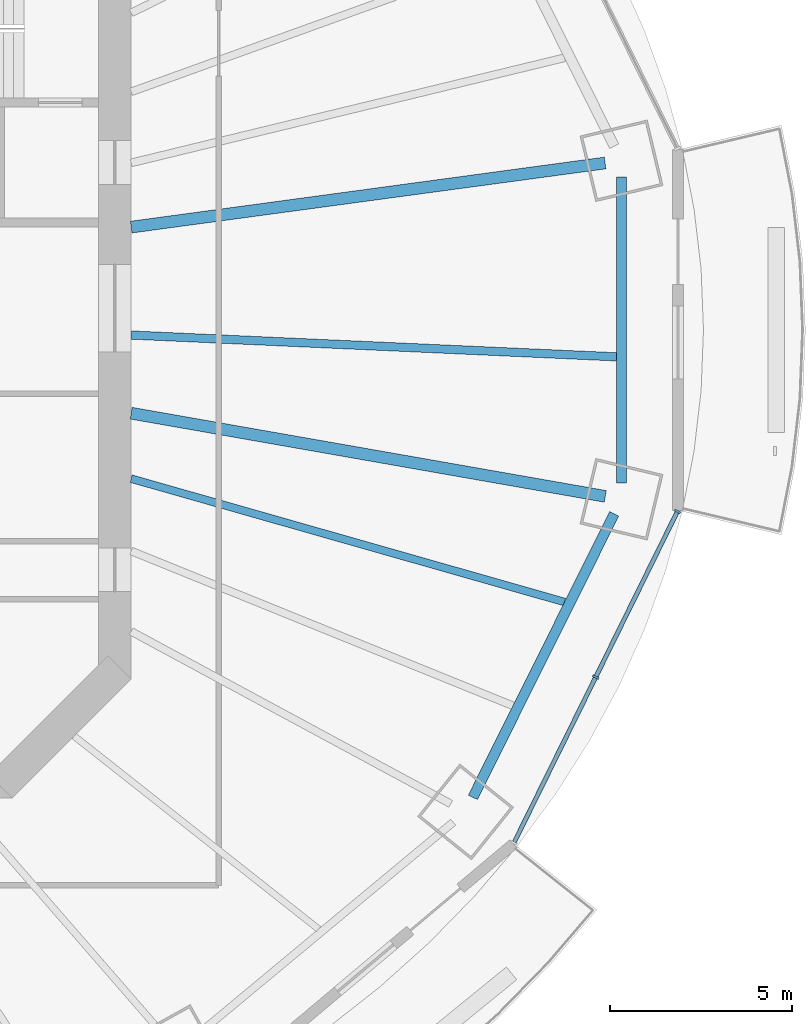
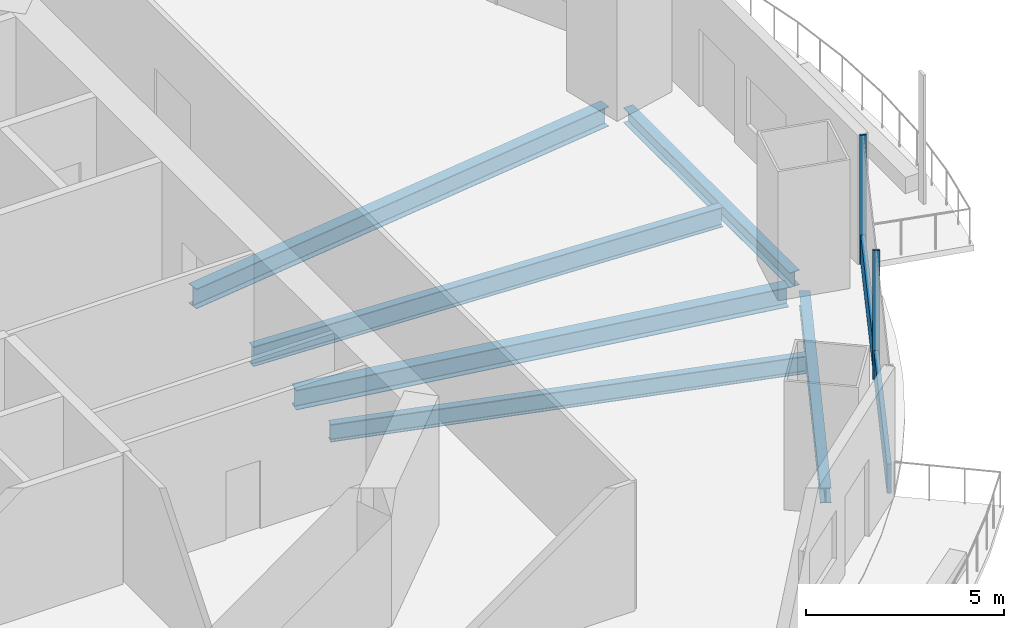
# One storey, part 5 of 19: 6 beams, 3 members, 1 element without a shape of its own.
"""IFC4 building model written with IfcOpenShell, lengths in metres."""

from ifc_helpers import new_model, si_unit, direction, frame, origin, origin_2d, place, context, subcontext, project, spatial, rectangle, i_section, extrude, material, material_profile, profile_set, type_object, element, aggregate, save


model = new_model("IFC4")

# Units and contexts
model_context = context("Model", 3, precision=1e-05, world=origin(), true_north=direction((0.0, 1.0)))
body_context = subcontext(model_context, "Body", "Model", "MODEL_VIEW")
ifc_project = project(units=[si_unit("LENGTHUNIT", "METRE"), si_unit("AREAUNIT", "SQUARE_METRE"), si_unit("VOLUMEUNIT", "CUBIC_METRE"), si_unit("PLANEANGLEUNIT", "RADIAN"), si_unit("MASSUNIT", "GRAM", prefix="KILO")], contexts=[model_context])

# Site, building, storey
site_placement = place(None, origin())
site = spatial("IfcSite", under=ifc_project, at=site_placement, CompositionType="ELEMENT")
building_placement = place(site_placement, origin())
building = spatial("IfcBuilding", under=site, at=building_placement, Name="Marenthal Gate Tower", CompositionType="ELEMENT")
storey_placement = place(building_placement, frame((0.0, 0.0, 235.75)))
storey = spatial("IfcBuildingStorey", under=building, at=storey_placement, Name="L52", CompositionType="ELEMENT", Elevation=235.75)

# Curtain wall, members
ifc_material_1 = material(Name="Aluminium and glass", Category="aluminium")
curtain_wall_type = type_object("IfcCurtainWallType", Name="Curtain wall typical mid", PredefinedType="NOTDEFINED", material=ifc_material_1)
curtain_wall_placement = place(storey_placement, origin())
curtain_wall = element("IfcCurtainWall", 1, at=curtain_wall_placement, inside=storey, type_object=curtain_wall_type, Name="Curtain wall L52 bay 15", PredefinedType="NOTDEFINED")
ifc_material_2 = material(Name="Aluminium", Category="aluminium")
ifc_material_profile_1 = material_profile(ifc_material_2, rectangle(XDim=0.179931640625, YDim=0.06005859375, at=origin_2d()), Name="60x180 aluminium mullion")
ifc_profile_set_1 = profile_set([ifc_material_profile_1], Name="Aluminium")
member_type_1 = type_object("IfcMemberType", Name="Mullion 60x180 typical mid", PredefinedType="MULLION", material=ifc_profile_set_1)
member_1_placement = place(storey_placement, frame((29.205810546875, -10.133056640625, 0.0), z_axis=(0.0, 0.0, 1.0), x_axis=(-0.896835471663, 0.442364258013, 0.0)))
member_1 = element("IfcMember", 2, at=member_1_placement, type_object=member_type_1, Name="Mullion L52 bay 15.2", PredefinedType="MULLION", context=body_context, shape_type="SweptSolid", body=[
    extrude(rectangle(XDim=0.179931640625, YDim=0.06005859375, at=origin_2d()), origin(), (0.0, 0.0, 1.0), 3.969970703125),
])
member_2_placement = place(storey_placement, frame((31.45068359375, -5.58203125, 0.0), z_axis=(0.0, 0.0, 1.0), x_axis=(-0.896835471663, 0.442364258013, 0.0)))
member_2 = element("IfcMember", 3, at=member_2_placement, type_object=member_type_1, Name="Mullion L52 bay 15.3", PredefinedType="MULLION", context=body_context, shape_type="SweptSolid", body=[
    extrude(rectangle(XDim=0.179931640625, YDim=0.06005859375, at=origin_2d()), origin(), (0.0, 0.0, 1.0), 3.969970703125),
])
ifc_material_3 = material(Name="Aluminium", Category="aluminium")
ifc_material_profile_2 = material_profile(ifc_material_3, rectangle(XDim=0.1201171875, YDim=0.89990234375, at=origin_2d()), Name="120x900 aluminium transom")
ifc_profile_set_2 = profile_set([ifc_material_profile_2], Name="Aluminium")
member_type_2 = type_object("IfcMemberType", Name="Transom 120x900 typical mid", PredefinedType="USERDEFINED", material=ifc_profile_set_2)
member_3_placement = place(storey_placement, frame((26.974365234375, -14.656982421875, 0.449951171875), z_axis=(0.442357544454, 0.896838783096, 0.0), x_axis=(-0.896838783096, 0.442357544454, 0.0)))
member_3 = element("IfcMember", 4, at=member_3_placement, type_object=member_type_2, Name="Transom L52 bay 15", ObjectType="TRANSOM", PredefinedType="USERDEFINED", context=body_context, shape_type="SweptSolid", body=[
    extrude(rectangle(XDim=0.1201171875, YDim=0.89990234375, at=origin_2d()), origin(), (0.0, 0.0, 1.0), 10.0888671875),
])
aggregate(curtain_wall, [member_1, member_2, member_3])

# Beams
ifc_material_4 = material(Name="Steel S355", Category="steel")
ifc_material_profile_3 = material_profile(ifc_material_4, i_section(OverallWidth=0.279052734375, OverallDepth=0.4619140625, WebThickness=0.0107421875, FlangeThickness=0.017333984375, FilletRadius=0.010009765625, at=origin_2d()), Name="W460X113")
ifc_profile_set_3 = profile_set([ifc_material_profile_3], Name="Steel S355")
beam_type_1 = type_object("IfcBeamType", Name="W460X113 beam", PredefinedType="BEAM", material=ifc_profile_set_3)
beam_1_placement = place(storey_placement, frame((25.83349609375, -13.433349609375, -0.410888671875), z_axis=(0.446112921938, 0.894976681752, 0.0), x_axis=(-0.894976681752, 0.446112921938, 0.0)))
element("IfcBeam", 5, at=beam_1_placement, inside=storey, type_object=beam_type_1, Name="BM-L52-55", PredefinedType="BEAM", context=body_context, shape_type="SweptSolid", body=[
    extrude(i_section(OverallWidth=0.279052734375, OverallDepth=0.4619140625, WebThickness=0.0107421875, FlangeThickness=0.017333984375, FilletRadius=0.010009765625, at=origin_2d()), origin(), (0.0, 0.0, 1.0), 8.69775390625),
])
beam_2_placement = place(storey_placement, frame((29.914306640625, -4.7958984375, -0.410888671875), z_axis=(0.0, 1.0, 0.0), x_axis=(-1.0, 0.0, 0.0)))
element("IfcBeam", 6, at=beam_2_placement, inside=storey, type_object=beam_type_1, Name="BM-L52-56", PredefinedType="BEAM", context=body_context, shape_type="SweptSolid", body=[
    extrude(i_section(OverallWidth=0.279052734375, OverallDepth=0.4619140625, WebThickness=0.0107421875, FlangeThickness=0.017333984375, FilletRadius=0.010009765625, at=origin_2d()), origin(), (0.0, 0.0, 1.0), 8.3916015625),
])
ifc_material_5 = material(Name="Steel S355", Category="steel")
ifc_material_profile_4 = material_profile(ifc_material_5, i_section(OverallWidth=0.2119140625, OverallDepth=0.5439453125, WebThickness=0.01318359375, FlangeThickness=0.021240234375, FilletRadius=0.0126953125, at=origin_2d()), Name="W530X123")
ifc_profile_set_4 = profile_set([ifc_material_profile_4], Name="Steel S355")
beam_type_2 = type_object("IfcBeamType", Name="W530X123 beam", PredefinedType="BEAM", material=ifc_profile_set_4)
beam_3_placement = place(storey_placement, frame((28.35107421875, -8.070068359375, -0.451904296875), z_axis=(-0.96179820345, 0.27375941233, 0.0), x_axis=(-0.27375941233, -0.96179820345, 0.0)))
element("IfcBeam", 7, at=beam_3_placement, inside=storey, type_object=beam_type_2, Name="BM-L52-39", PredefinedType="BEAM", context=body_context, shape_type="SweptSolid", body=[
    extrude(i_section(OverallWidth=0.2119140625, OverallDepth=0.5439453125, WebThickness=0.01318359375, FlangeThickness=0.021240234375, FilletRadius=0.0126953125, at=origin_2d()), origin(), (0.0, 0.0, 1.0), 12.373779296875),
])
ifc_material_6 = material(Name="Steel S355", Category="steel")
ifc_material_profile_5 = material_profile(ifc_material_6, i_section(OverallWidth=0.22900390625, OverallDepth=0.612060546875, WebThickness=0.011962890625, FlangeThickness=0.01953125, FilletRadius=0.0126953125, at=origin_2d()), Name="W610X125")
ifc_profile_set_5 = profile_set([ifc_material_profile_5], Name="Steel S355")
beam_type_3 = type_object("IfcBeamType", Name="W610X125 beam", PredefinedType="BEAM", material=ifc_profile_set_5)
beam_4_placement = place(storey_placement, frame((29.774658203125, -1.337158203125, -0.486083984375), z_axis=(-0.998993149239, 0.044862988911, 0.0), x_axis=(-0.044862988911, -0.998993149239, 0.0)))
element("IfcBeam", 8, at=beam_4_placement, inside=storey, type_object=beam_type_3, Name="BM-L52-40", PredefinedType="BEAM", context=body_context, shape_type="SweptSolid", body=[
    extrude(i_section(OverallWidth=0.22900390625, OverallDepth=0.612060546875, WebThickness=0.011962890625, FlangeThickness=0.01953125, FilletRadius=0.0126953125, at=origin_2d()), origin(), (0.0, 0.0, 1.0), 13.338134765625),
])
ifc_material_7 = material(Name="Steel S355", Category="steel")
ifc_material_profile_6 = material_profile(ifc_material_7, i_section(OverallWidth=0.324951171875, OverallDepth=0.612060546875, WebThickness=0.0126953125, FlangeThickness=0.01904296875, FilletRadius=0.0126953125, at=origin_2d()), Name="W610X155")
ifc_profile_set_6 = profile_set([ifc_material_profile_6], Name="Steel S355")
beam_type_4 = type_object("IfcBeamType", Name="W610X155 beam", PredefinedType="BEAM", material=ifc_profile_set_6)
beam_5_placement = place(storey_placement, frame((29.46337890625, 3.98583984375, -0.486083984375), z_axis=(-0.990972948398, -0.134061983958, 0.0), x_axis=(0.134061983958, -0.990972948398, 0.0)))
element("IfcBeam", 9, at=beam_5_placement, inside=storey, type_object=beam_type_4, Name="BM-L52-01", PredefinedType="BEAM", context=body_context, shape_type="SweptSolid", body=[
    extrude(i_section(OverallWidth=0.324951171875, OverallDepth=0.612060546875, WebThickness=0.0126953125, FlangeThickness=0.01904296875, FilletRadius=0.0126953125, at=origin_2d()), origin(), (0.0, 0.0, 1.0), 13.132080078125),
])
beam_6_placement = place(storey_placement, frame((29.46923828125, -5.1689453125, -0.486083984375), z_axis=(-0.984962098158, 0.172770556494, 0.0), x_axis=(-0.172770556494, -0.984962098158, 0.0)))
element("IfcBeam", 10, at=beam_6_placement, inside=storey, type_object=beam_type_4, Name="BM-L52-16", PredefinedType="BEAM", context=body_context, shape_type="SweptSolid", body=[
    extrude(i_section(OverallWidth=0.324951171875, OverallDepth=0.612060546875, WebThickness=0.0126953125, FlangeThickness=0.01904296875, FilletRadius=0.0126953125, at=origin_2d()), origin(), (0.0, 0.0, 1.0), 13.218017578125),
])

save(model, "model.ifc")
